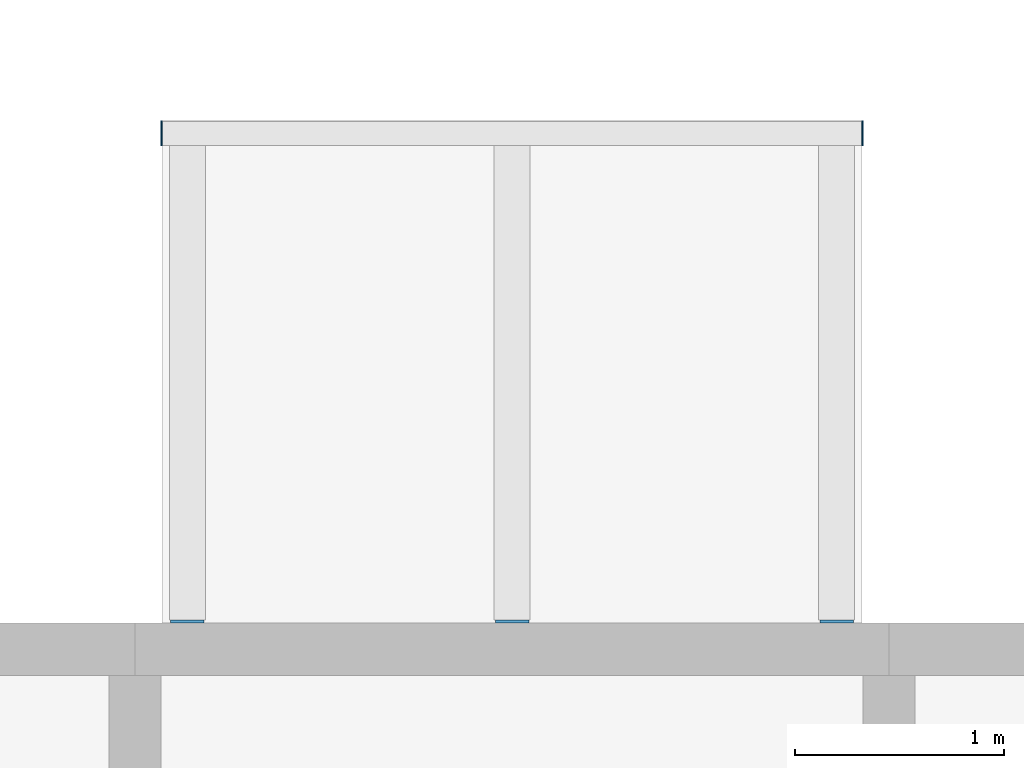
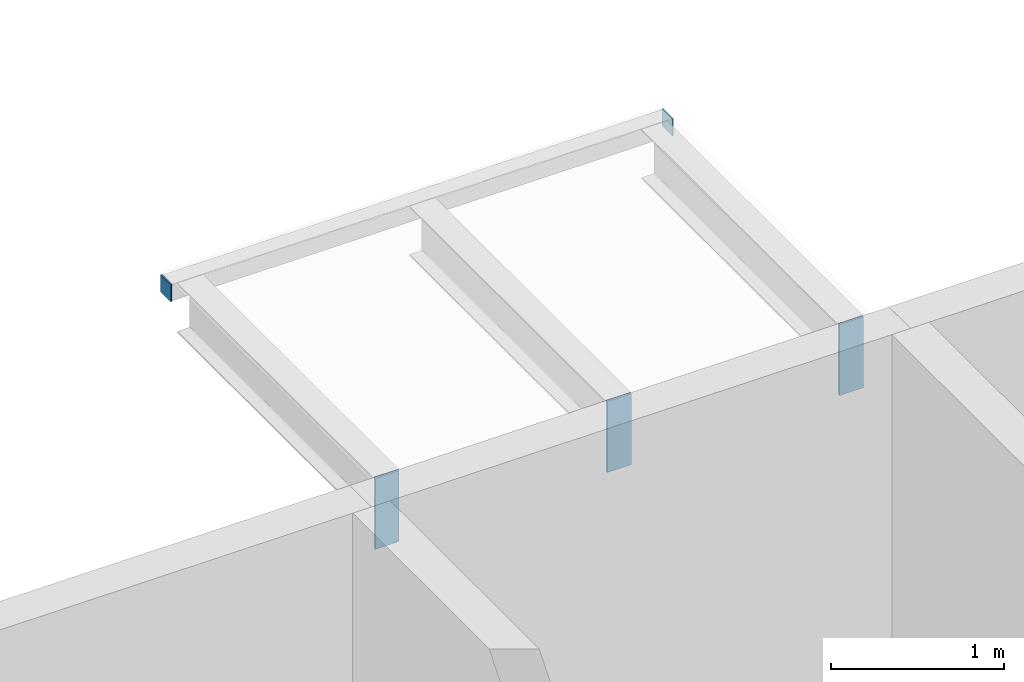
# One storey, part 90 of 122: 5 discrete accessories.
"""IFC4 building model written with IfcOpenShell, lengths in metres."""

from ifc_helpers import new_model, si_unit, direction, frame, origin, origin_2d, place, context, subcontext, project, spatial, rectangle, extrude, material, layer, layer_set, type_object, element, save


model = new_model("IFC4")

# Units and contexts
model_context = context("Model", 3, precision=1e-05, world=origin(), true_north=direction((0.0, 1.0)))
body_context = subcontext(model_context, "Body", "Model", "MODEL_VIEW")
ifc_project = project(units=[si_unit("LENGTHUNIT", "METRE"), si_unit("AREAUNIT", "SQUARE_METRE"), si_unit("VOLUMEUNIT", "CUBIC_METRE"), si_unit("PLANEANGLEUNIT", "RADIAN"), si_unit("MASSUNIT", "GRAM", prefix="KILO")], contexts=[model_context])

# Site, building, storey
site_placement = place(None, origin())
site = spatial("IfcSite", under=ifc_project, at=site_placement, CompositionType="ELEMENT")
building_placement = place(site_placement, origin())
building = spatial("IfcBuilding", under=site, at=building_placement, Name="Ridgestep Commons", CompositionType="ELEMENT")
storey_placement = place(building_placement, frame((0.0, 0.0, 3.0)))
storey = spatial("IfcBuildingStorey", under=building, at=storey_placement, Name="L01", CompositionType="ELEMENT", Elevation=3.0)

# Discrete accessories
ifc_material_1 = material(Name="Weathering steel S355J2W", Category="steel")
ifc_layer_1 = layer(ifc_material_1, 0.014892578125)
ifc_layer_set_1 = layer_set([ifc_layer_1], Name="Tray bracket plate 15")
discrete_accessory_type_1 = type_object("IfcDiscreteAccessoryType", Name="Tray bracket plate 15", PredefinedType="BRACKET", material=ifc_layer_set_1)
for number, where, z_axis, x_axis, name in (
    (1, (83.050048828125, 23.007568359375, 2.488525390625), (0.0, 0.0, 1.0), (1.0, 0.0, 0.0), "Tray bracket A5T2-02.1"),
    (2, (84.60009765625, 23.007568359375, 2.488525390625), (0.0, 0.0, 1.0), (1.0, 0.0, 0.0), "Tray bracket A5T2-02.2"),
    (3, (86.14990234375, 23.007568359375, 2.488525390625), (0.0, 0.0, 1.0), (1.0, 0.0, 0.0), "Tray bracket A5T2-02.3"),
):
    element("IfcDiscreteAccessory", number, at=place(storey_placement, frame(where, z_axis=z_axis, x_axis=x_axis)), inside=storey, type_object=discrete_accessory_type_1, Name=name, PredefinedType="BRACKET", context=body_context, shape_type="SweptSolid", body=[
        extrude(rectangle(XDim=0.159912109375, YDim=0.014892578125, at=origin_2d()), origin(), (0.0, 0.0, 1.0), 0.50146484375),
    ])
ifc_material_2 = material(Name="Weathering steel S355J2W", Category="steel")
ifc_layer_2 = layer(ifc_material_2, 0.008056640625)
ifc_layer_set_2 = layer_set([ifc_layer_2], Name="Tray edge member end plate 120 x 120 x 8")
discrete_accessory_type_2 = type_object("IfcDiscreteAccessoryType", Name="Tray edge member end plate 120 x 120 x 8", PredefinedType="BRACKET", material=ifc_layer_set_2)
for number, where, z_axis, x_axis, name in (
    (4, (82.926025390625, 25.340087890625, 2.869873046875), (0.0, 0.0, 1.0), (1.0, 0.0, 0.0), "Tray edge member end plate A5T2-02 west"),
    (5, (86.27392578125, 25.340087890625, 2.869873046875), (0.0, 0.0, 1.0), (1.0, 0.0, 0.0), "Tray edge member end plate A5T2-02 east"),
):
    element("IfcDiscreteAccessory", number, at=place(storey_placement, frame(where, z_axis=z_axis, x_axis=x_axis)), inside=storey, type_object=discrete_accessory_type_2, Name=name, PredefinedType="BRACKET", context=body_context, shape_type="SweptSolid", body=[
        extrude(rectangle(XDim=0.008056640625, YDim=0.1201171875, at=origin_2d()), origin(), (0.0, 0.0, 1.0), 0.1201171875),
    ])

save(model, "model.ifc")
